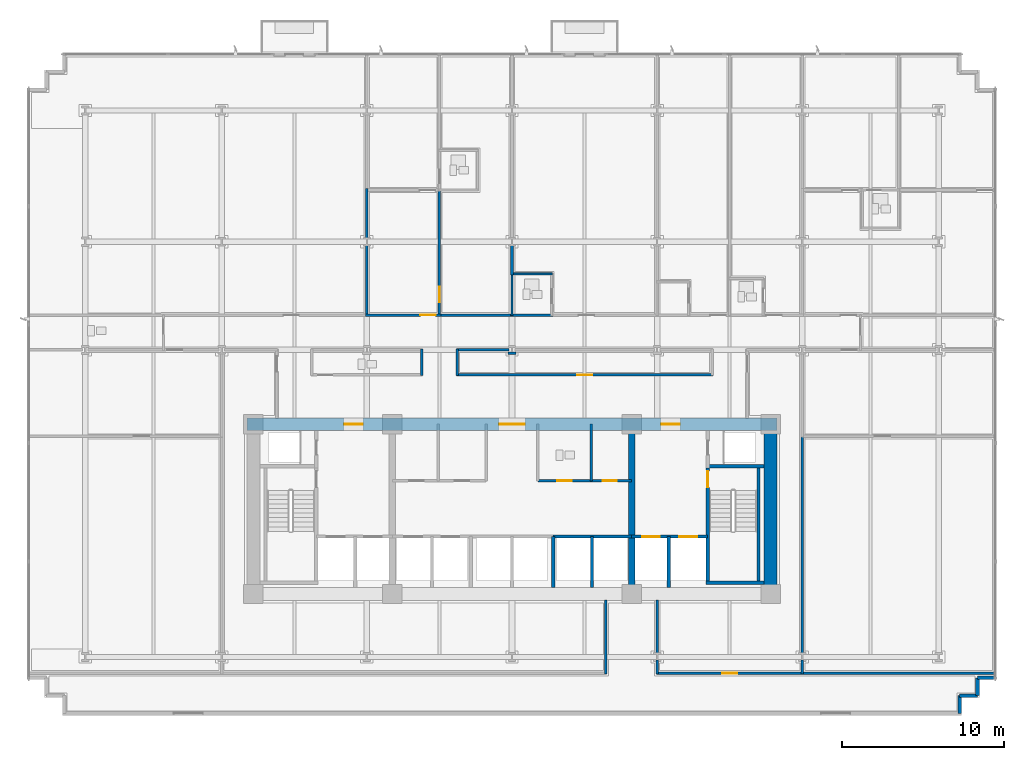
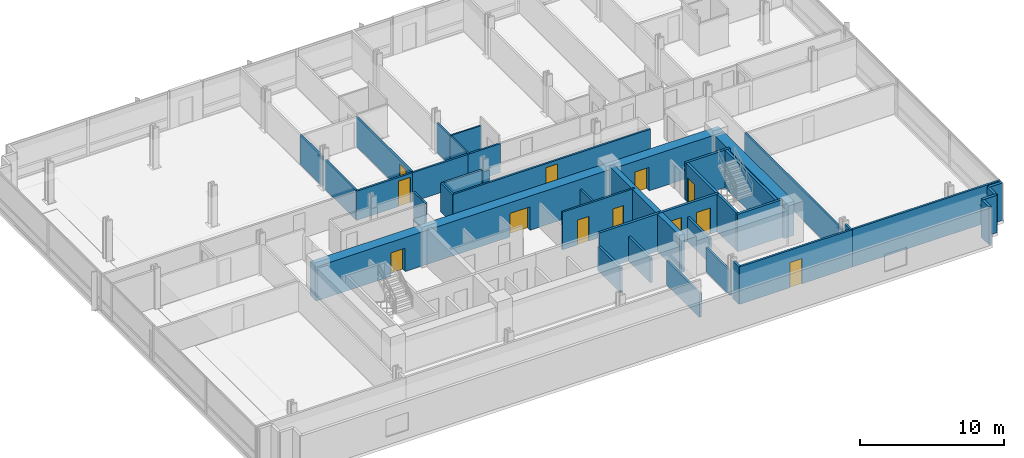
# One storey, part 9 of 18: 39 walls, 12 doors, 12 openings.
"""IFC4 building model written with IfcOpenShell, lengths in metres."""

from ifc_helpers import new_model, si_unit, direction, frame, frame_2d, origin, place, context, subcontext, project, spatial, rectangle, extrude, material, layer, layer_set, type_object, element, fill, save


model = new_model("IFC4")

# Units and contexts
model_context = context("Model", 3, precision=1e-05, world=origin(), true_north=direction((0.0, 1.0)))
body_context = subcontext(model_context, "Body", "Model", "MODEL_VIEW")
ifc_project = project(units=[si_unit("LENGTHUNIT", "METRE"), si_unit("AREAUNIT", "SQUARE_METRE"), si_unit("VOLUMEUNIT", "CUBIC_METRE"), si_unit("PLANEANGLEUNIT", "RADIAN"), si_unit("MASSUNIT", "GRAM", prefix="KILO")], contexts=[model_context])

# Site, building, storey
site_placement = place(None, origin())
site = spatial("IfcSite", under=ifc_project, at=site_placement, CompositionType="ELEMENT")
building_placement = place(site_placement, origin())
building = spatial("IfcBuilding", under=site, at=building_placement, Name="Solmavex Isthmus Hotel", CompositionType="ELEMENT")
storey_placement = place(building_placement, frame((0.0, 0.0, 43.64990234375)))
storey = spatial("IfcBuildingStorey", under=building, at=storey_placement, Name="L11", CompositionType="ELEMENT", Elevation=43.64990234375)

# Walls
ifc_material_1 = material(Name="Precast Concrete C40/50", Category="concrete")
ifc_layer_1 = layer(ifc_material_1, 0.25)
ifc_layer_set_1 = layer_set([ifc_layer_1], Name="Precast Concrete C40/50")
wall_type_1 = type_object("IfcWallType", Name="EW-TWR-250", PredefinedType="STANDARD", material=ifc_layer_set_1)
wall_1_placement = place(storey_placement, frame((29.889892578125, -18.18994140625, 0.0), z_axis=(0.0, 0.0, 1.0), x_axis=(-1.0, 0.0, 0.0)))
element("IfcWall", 1, at=wall_1_placement, inside=storey, type_object=wall_type_1, Name="Serrated Corner Facade Panel L11-16", PredefinedType="STANDARD", context=body_context, shape_type="SweptSolid", body=[
    extrude(rectangle(XDim=1.099853515625, YDim=0.219970703125, at=frame_2d((0.5498046875, 0.0))), origin(), (0.0, 0.0, 1.0), 3.190185546875),
])
for number, where, z_axis, x_axis, name in (
    (2, (28.7900390625, -18.18994140625, 0.0), (0.0, 0.0, 1.0), (0.0, -1.0, 0.0), "Serrated Corner Facade Panel L11-17"),
    (3, (28.7900390625, -19.2900390625, 0.0), (0.0, 0.0, 1.0), (-1.0, 0.0, 0.0), "Serrated Corner Facade Panel L11-18"),
):
    element("IfcWall", number, at=place(storey_placement, frame(where, z_axis=z_axis, x_axis=x_axis)), inside=storey, type_object=wall_type_1, Name=name, PredefinedType="STANDARD", context=body_context, shape_type="SweptSolid", body=[
        extrude(rectangle(XDim=1.10009765625, YDim=0.219970703125, at=frame_2d((0.550048828125, 0.0))), origin(), (0.0, 0.0, 1.0), 3.190185546875),
    ])
wall_2_placement = place(storey_placement, frame((27.68994140625, -19.2900390625, 0.0), z_axis=(0.0, 0.0, 1.0), x_axis=(0.0, -1.0, 0.0)))
element("IfcWall", 4, at=wall_2_placement, inside=storey, type_object=wall_type_1, Name="Serrated Corner Facade Panel L11-19", PredefinedType="STANDARD", context=body_context, shape_type="SweptSolid", body=[
    extrude(rectangle(XDim=1.099853515625, YDim=0.219970703125, at=frame_2d((0.5498046875, 0.0))), origin(), (0.0, 0.0, 1.0), 3.190185546875),
])
ifc_material_2 = material(Name="Gypsum plasterboard lining", Category="gypsum")
ifc_layer_2 = layer(ifc_material_2, 0.159912109375)
ifc_layer_set_2 = layer_set([ifc_layer_2], Name="Gypsum plasterboard lining")
wall_type_2 = type_object("IfcWallType", Name="IW-COMP-160", PredefinedType="PARTITIONING", material=ifc_layer_set_2)
wall_3_placement = place(storey_placement, frame((-8.97607421875, 8.613037109375, 0.0), z_axis=(0.0, 0.0, 1.0), x_axis=(0.0, -1.0, 0.0)))
element("IfcWall", 5, at=wall_3_placement, inside=storey, type_object=wall_type_2, Name="Interior Partition Wall W-L11-P033", PredefinedType="PARTITIONING", context=body_context, shape_type="SweptSolid", body=[
    extrude(rectangle(XDim=4.403076171875, YDim=0.159912109375, at=frame_2d((2.20166015625, 0.0))), origin(), (0.0, 0.0, 1.0), 2.4794921875),
])
wall_4_placement = place(storey_placement, frame((-8.97607421875, 12.070068359375, 0.0), z_axis=(0.0, 0.0, 1.0), x_axis=(0.0, -1.0, 0.0)))
element("IfcWall", 6, at=wall_4_placement, inside=storey, type_object=wall_type_2, Name="Interior Partition Wall W-L11-P034", PredefinedType="PARTITIONING", context=body_context, shape_type="SweptSolid", body=[
    extrude(rectangle(XDim=3.107177734375, YDim=0.159912109375, at=frame_2d((1.5537109375, 0.0))), origin(), (0.0, 0.0, 1.0), 2.4794921875),
])

# Wall, opening, door
wall_5_placement = place(storey_placement, frame((-4.488037109375, 12.028076171875, 0.0), z_axis=(0.0, 0.0, 1.0), x_axis=(0.0, -1.0, 0.0)))
wall_5 = element("IfcWall", 7, at=wall_5_placement, inside=storey, type_object=wall_type_2, Name="Interior Partition Wall W-L11-P039", PredefinedType="PARTITIONING", context=body_context, shape_type="SweptSolid", body=[
    extrude(rectangle(XDim=7.818115234375, YDim=0.159912109375, at=frame_2d((3.9091796875, 0.0))), origin(), (0.0, 0.0, 1.0), 2.4794921875),
])
opening_1_placement = place(wall_5_placement, frame((6.033935546875, 0.0, 0.0)))
opening_1 = element("IfcOpeningElement", 8, at=opening_1_placement, cuts=wall_5, Name="Opening ID-C095", PredefinedType="OPENING", context=body_context, shape_type="SweptSolid", body=[
    extrude(rectangle(XDim=0.949951171875, YDim=2.14990234375, at=frame_2d((0.47509765625, 1.074951171875))), frame((0.0, 0.08984375, 0.0), z_axis=(0.0, -1.0, 0.0), x_axis=(1.0, 0.0, 0.0)), (0.0, 0.0, 1.0), 0.179931640625),
])
ifc_material_3 = material(Name="Hardwood timber", Category="wood")
door_type_1 = type_object("IfcDoorType", Name="IDR-FD60-0950", OperationType="NOTDEFINED", PredefinedType="DOOR", material=ifc_material_3)
door_1_placement = place(opening_1_placement, origin())
door_1 = element("IfcDoor", 9, at=door_1_placement, inside=storey, type_object=door_type_1, Name="Premier Suite Living Lounge Door L11-04", OperationType="SINGLE_SWING_RIGHT", OverallHeight=2.14990234375, OverallWidth=0.949951171875, PredefinedType="DOOR", context=body_context, shape_type="SweptSolid", body=[
    extrude(rectangle(XDim=0.949951171875, YDim=2.14990234375, at=frame_2d((0.47509765625, 1.074951171875))), frame((0.0, 0.02490234375, 0.0), z_axis=(0.0, -1.0, 0.0), x_axis=(1.0, 0.0, 0.0)), (0.0, 0.0, 1.0), 0.050048828125),
])
fill(opening_1, door_1)

# Wall
wall_6_placement = place(storey_placement, frame((0.0, 8.613037109375, 0.0), z_axis=(0.0, 0.0, 1.0), x_axis=(0.0, -1.0, 0.0)))
element("IfcWall", 10, at=wall_6_placement, inside=storey, type_object=wall_type_2, Name="Interior Partition Wall W-L11-P045", PredefinedType="PARTITIONING", context=body_context, shape_type="SweptSolid", body=[
    extrude(rectangle(XDim=1.89501953125, YDim=0.159912109375, at=frame_2d((0.947509765625, 0.0))), origin(), (0.0, 0.0, 1.0), 2.4794921875),
])

# Wall, opening, door
wall_7_placement = place(storey_placement, frame((17.991943359375, -17.89990234375, 0.0), z_axis=(0.0, 0.0, 1.0), x_axis=(-1.0, 0.0, 0.0)))
wall_7 = element("IfcWall", 11, at=wall_7_placement, inside=storey, type_object=wall_type_2, Name="Interior Partition Wall W-L11-P081", PredefinedType="PARTITIONING", context=body_context, shape_type="SweptSolid", body=[
    extrude(rectangle(XDim=9.055908203125, YDim=0.159912109375, at=frame_2d((4.52783203125, 0.0))), origin(), (0.0, 0.0, 1.0), 3.190185546875),
])
opening_2_placement = place(wall_7_placement, frame((4.052978515625, 0.0, 0.0)))
opening_2 = element("IfcOpeningElement", 12, at=opening_2_placement, cuts=wall_7, Name="Opening ID-C095", PredefinedType="OPENING", context=body_context, shape_type="SweptSolid", body=[
    extrude(rectangle(XDim=0.949951171875, YDim=2.14990234375, at=frame_2d((0.47509765625, 1.074951171875))), frame((0.0, 0.08984375, 0.0), z_axis=(0.0, -1.0, 0.0), x_axis=(1.0, 0.0, 0.0)), (0.0, 0.0, 1.0), 0.179931640625),
])
door_2_placement = place(opening_2_placement, origin())
door_2 = element("IfcDoor", 13, at=door_2_placement, inside=storey, type_object=door_type_1, Name="Corporate Briefing Office Door L11-24", OperationType="SINGLE_SWING_RIGHT", OverallHeight=2.14990234375, OverallWidth=0.949951171875, PredefinedType="DOOR", context=body_context, shape_type="SweptSolid", body=[
    extrude(rectangle(XDim=0.949951171875, YDim=2.14990234375, at=frame_2d((0.47509765625, 1.074951171875))), frame((0.0, 0.02490234375, 0.0), z_axis=(0.0, -1.0, 0.0), x_axis=(1.0, 0.0, 0.0)), (0.0, 0.0, 1.0), 0.050048828125),
])
fill(opening_2, door_2)

# Walls
wall_8_placement = place(storey_placement, frame((8.97607421875, -17.93994140625, 0.0), z_axis=(0.0, 0.0, 1.0), x_axis=(0.0, 1.0, 0.0)))
element("IfcWall", 14, at=wall_8_placement, inside=storey, type_object=wall_type_2, Name="Interior Partition Wall W-L11-P082", PredefinedType="PARTITIONING", context=body_context, shape_type="SweptSolid", body=[
    extrude(rectangle(XDim=0.864990234375, YDim=0.159912109375, at=frame_2d((0.4326171875, 0.0))), origin(), (0.0, 0.0, 1.0), 3.190185546875),
])
wall_9_placement = place(storey_placement, frame((8.97607421875, -16.72509765625, 0.0), z_axis=(0.0, 0.0, 1.0), x_axis=(0.0, 1.0, 0.0)))
element("IfcWall", 15, at=wall_9_placement, inside=storey, type_object=wall_type_2, Name="Interior Partition Wall W-L11-P083", PredefinedType="PARTITIONING", context=body_context, shape_type="SweptSolid", body=[
    extrude(rectangle(XDim=3.364990234375, YDim=0.159912109375, at=frame_2d((1.6826171875, 0.0))), origin(), (0.0, 0.0, 1.0), 2.0751953125),
])
wall_10_placement = place(storey_placement, frame((17.951904296875, -17.074951171875, 0.0), z_axis=(0.0, 0.0, 1.0), x_axis=(0.0, -1.0, 0.0)))
element("IfcWall", 16, at=wall_10_placement, inside=storey, type_object=wall_type_2, Name="Interior Partition Wall W-L11-P084", PredefinedType="PARTITIONING", context=body_context, shape_type="SweptSolid", body=[
    extrude(rectangle(XDim=0.864990234375, YDim=0.159912109375, at=frame_2d((0.4326171875, 0.0))), origin(), (0.0, 0.0, 1.0), 3.190185546875),
])
wall_11_placement = place(storey_placement, frame((17.951904296875, -3.16796875, 0.0), z_axis=(0.0, 0.0, 1.0), x_axis=(0.0, -1.0, 0.0)))
element("IfcWall", 17, at=wall_11_placement, inside=storey, type_object=wall_type_2, Name="Interior Partition Wall W-L11-P085", PredefinedType="PARTITIONING", context=body_context, shape_type="SweptSolid", body=[
    extrude(rectangle(XDim=13.55712890625, YDim=0.159912109375, at=frame_2d((6.778564453125, 0.0))), origin(), (0.0, 0.0, 1.0), 2.4794921875),
])
wall_12_placement = place(storey_placement, frame((5.800048828125, -13.360107421875, 0.0), z_axis=(0.0, 0.0, 1.0), x_axis=(0.0, -1.0, 0.0)))
element("IfcWall", 18, at=wall_12_placement, inside=storey, type_object=wall_type_2, Name="Interior Partition Wall W-L11-P086", PredefinedType="PARTITIONING", context=body_context, shape_type="SweptSolid", body=[
    extrude(rectangle(XDim=4.579833984375, YDim=0.159912109375, at=frame_2d((2.2900390625, 0.0))), origin(), (0.0, 0.0, 1.0), 2.0751953125),
])
wall_13_placement = place(storey_placement, frame((17.8701171875, -17.89990234375, 0.0), z_axis=(0.0, 0.0, 1.0), x_axis=(1.0, 0.0, 0.0)))
element("IfcWall", 19, at=wall_13_placement, inside=storey, type_object=wall_type_2, Name="Interior Partition Wall W-L11-P091", PredefinedType="PARTITIONING", context=body_context, shape_type="SweptSolid", body=[
    extrude(rectangle(XDim=12.0498046875, YDim=0.159912109375, at=frame_2d((6.02490234375, 0.0))), origin(), (0.0, 0.0, 1.0), 3.190185546875),
])

# Wall, openings, doors
ifc_layer_3 = layer(ifc_material_2, 0.14990234375)
ifc_layer_set_3 = layer_set([ifc_layer_3], Name="Gypsum plasterboard lining")
wall_type_3 = type_object("IfcWallType", Name="IW-CORR-150", PredefinedType="PARTITIONING", material=ifc_layer_set_3)
wall_14_placement = place(storey_placement, frame((1.60009765625, -6.0, 0.0), z_axis=(0.0, 0.0, 1.0), x_axis=(1.0, 0.0, 0.0)))
wall_14 = element("IfcWall", 20, at=wall_14_placement, inside=storey, type_object=wall_type_3, Name="Interior Partition Wall W-L11-BOH-ES", PredefinedType="PARTITIONING", context=body_context, shape_type="SweptSolid", body=[
    extrude(rectangle(XDim=5.7998046875, YDim=0.14990234375, at=frame_2d((2.89990234375, 0.0))), origin(), (0.0, 0.0, 1.0), 3.190185546875),
])
opening_3_placement = place(wall_14_placement, frame((1.199951171875, 0.0, 0.0)))
opening_3 = element("IfcOpeningElement", 21, at=opening_3_placement, cuts=wall_14, Name="Opening ID-C090", PredefinedType="OPENING", context=body_context, shape_type="SweptSolid", body=[
    extrude(rectangle(XDim=0.89990234375, YDim=2.10009765625, at=frame_2d((0.449951171875, 1.050048828125))), frame((0.0, 0.0849609375, 0.0), z_axis=(0.0, -1.0, 0.0), x_axis=(1.0, 0.0, 0.0)), (0.0, 0.0, 1.0), 0.169921875),
])
opening_4_placement = place(wall_14_placement, frame((4.02490234375, 0.0, 0.0)))
opening_4 = element("IfcOpeningElement", 22, at=opening_4_placement, cuts=wall_14, Name="Opening ID-R085", PredefinedType="OPENING", context=body_context, shape_type="SweptSolid", body=[
    extrude(rectangle(XDim=0.85009765625, YDim=2.050048828125, at=frame_2d((0.425048828125, 1.02490234375))), frame((0.0, 0.0849609375, 0.0), z_axis=(0.0, -1.0, 0.0), x_axis=(1.0, 0.0, 0.0)), (0.0, 0.0, 1.0), 0.169921875),
])
ifc_material_4 = material(Name="Steel ASTM A500 Grade C", Category="steel")
door_type_2 = type_object("IfcDoorType", Name="IDR-FD60-0850", OperationType="NOTDEFINED", PredefinedType="DOOR", material=ifc_material_4)
door_3_placement = place(opening_4_placement, frame((0.85009765625, 0.0, 0.0), z_axis=(0.0, 0.0, 1.0), x_axis=(-1.0, 0.0, 0.0)))
door_3 = element("IfcDoor", 23, at=door_3_placement, inside=storey, type_object=door_type_2, Name="IT Room Door L11", OperationType="SINGLE_SWING_RIGHT", OverallHeight=2.050048828125, OverallWidth=0.85009765625, PredefinedType="DOOR", context=body_context, shape_type="SweptSolid", body=[
    extrude(rectangle(XDim=0.85009765625, YDim=2.050048828125, at=frame_2d((0.425048828125, 1.02490234375))), frame((0.0, 0.02490234375, 0.0), z_axis=(0.0, -1.0, 0.0), x_axis=(1.0, 0.0, 0.0)), (0.0, 0.0, 1.0), 0.050048828125),
])
fill(opening_4, door_3)
door_type_3 = type_object("IfcDoorType", Name="IDR-FD60-0900", OperationType="NOTDEFINED", PredefinedType="DOOR", material=ifc_material_3)
door_4_placement = place(opening_3_placement, frame((0.89990234375, 0.0, 0.0), z_axis=(0.0, 0.0, 1.0), x_axis=(-1.0, 0.0, 0.0)))
door_4 = element("IfcDoor", 24, at=door_4_placement, inside=storey, type_object=door_type_3, Name="Staff Restroom Door L11", OperationType="SINGLE_SWING_LEFT", OverallHeight=2.10009765625, OverallWidth=0.89990234375, PredefinedType="DOOR", context=body_context, shape_type="SweptSolid", body=[
    extrude(rectangle(XDim=0.89990234375, YDim=2.10009765625, at=frame_2d((0.449951171875, 1.050048828125))), frame((0.0, 0.02490234375, 0.0), z_axis=(0.0, -1.0, 0.0), x_axis=(1.0, 0.0, 0.0)), (0.0, 0.0, 1.0), 0.050048828125),
])
fill(opening_3, door_4)

# Wall, opening, door
wall_15_placement = place(storey_placement, frame((-9.05810546875, 4.25, 0.0), z_axis=(0.0, 0.0, 1.0), x_axis=(1.0, 0.0, 0.0)))
wall_15 = element("IfcWall", 25, at=wall_15_placement, inside=storey, type_object=wall_type_3, Name="Interior Partition Wall W-L11-P002", PredefinedType="PARTITIONING", context=body_context, shape_type="SweptSolid", body=[
    extrude(rectangle(XDim=4.652099609375, YDim=0.14990234375, at=frame_2d((2.326171875, 0.0))), origin(), (0.0, 0.0, 1.0), 2.4794921875),
])
opening_5_placement = place(wall_15_placement, frame((3.38720703125, 0.0, 0.0)))
opening_5 = element("IfcOpeningElement", 26, at=opening_5_placement, cuts=wall_15, Name="Opening ID-C095", PredefinedType="OPENING", context=body_context, shape_type="SweptSolid", body=[
    extrude(rectangle(XDim=0.949951171875, YDim=2.14990234375, at=frame_2d((0.47509765625, 1.074951171875))), frame((0.0, 0.0849609375, 0.0), z_axis=(0.0, -1.0, 0.0), x_axis=(1.0, 0.0, 0.0)), (0.0, 0.0, 1.0), 0.169921875),
])
door_5_placement = place(opening_5_placement, origin())
door_5 = element("IfcDoor", 27, at=door_5_placement, inside=storey, type_object=door_type_1, Name="Premier Suite Entrance Hall Door L11-02", OperationType="SINGLE_SWING_RIGHT", OverallHeight=2.14990234375, OverallWidth=0.949951171875, PredefinedType="DOOR", context=body_context, shape_type="SweptSolid", body=[
    extrude(rectangle(XDim=0.949951171875, YDim=2.14990234375, at=frame_2d((0.47509765625, 1.074951171875))), frame((0.0, 0.02490234375, 0.0), z_axis=(0.0, -1.0, 0.0), x_axis=(1.0, 0.0, 0.0)), (0.0, 0.0, 1.0), 0.050048828125),
])
fill(opening_5, door_5)

# Walls
wall_16_placement = place(storey_placement, frame((-4.570068359375, 4.25, 0.0), z_axis=(0.0, 0.0, 1.0), x_axis=(1.0, 0.0, 0.0)))
element("IfcWall", 28, at=wall_16_placement, inside=storey, type_object=wall_type_3, Name="Interior Partition Wall W-L11-P003", PredefinedType="PARTITIONING", context=body_context, shape_type="SweptSolid", body=[
    extrude(rectangle(XDim=4.652099609375, YDim=0.14990234375, at=frame_2d((2.326171875, 0.0))), origin(), (0.0, 0.0, 1.0), 2.4794921875),
])
wall_17_placement = place(storey_placement, frame((-0.08203125, 4.25, 0.0), z_axis=(0.0, 0.0, 1.0), x_axis=(1.0, 0.0, 0.0)))
element("IfcWall", 29, at=wall_17_placement, inside=storey, type_object=wall_type_3, Name="Interior Partition Wall W-L11-P005", PredefinedType="PARTITIONING", context=body_context, shape_type="SweptSolid", body=[
    extrude(rectangle(XDim=2.614013671875, YDim=0.14990234375, at=frame_2d((1.30712890625, 0.0))), origin(), (0.0, 0.0, 1.0), 2.4794921875),
])
wall_18_placement = place(storey_placement, frame((-5.587890625, 0.510009765625, 0.0), z_axis=(0.0, 0.0, 1.0), x_axis=(0.0, 1.0, 0.0)))
element("IfcWall", 30, at=wall_18_placement, inside=storey, type_object=wall_type_3, Name="Interior Partition Wall W-L11-P014", PredefinedType="PARTITIONING", context=body_context, shape_type="SweptSolid", body=[
    extrude(rectangle(XDim=1.6298828125, YDim=0.14990234375, at=frame_2d((0.81494140625, 0.0))), origin(), (0.0, 0.0, 1.0), 2.4794921875),
])
wall_19_placement = place(storey_placement, frame((0.2548828125, 1.885009765625, 0.0), z_axis=(0.0, 0.0, 1.0), x_axis=(-1.0, 0.0, 0.0)))
element("IfcWall", 31, at=wall_19_placement, inside=storey, type_object=wall_type_3, Name="Interior Partition Wall W-L11-P019", PredefinedType="PARTITIONING", context=body_context, shape_type="SweptSolid", body=[
    extrude(rectangle(XDim=0.509765625, YDim=0.14990234375, at=frame_2d((0.2548828125, 0.0))), origin(), (0.0, 0.0, 1.0), 2.4794921875),
])
wall_20_placement = place(storey_placement, frame((-0.175048828125, 2.10009765625, 0.0), z_axis=(0.0, 0.0, 1.0), x_axis=(-1.0, 0.0, 0.0)))
element("IfcWall", 32, at=wall_20_placement, inside=storey, type_object=wall_type_3, Name="Interior Partition Wall W-L11-P020", PredefinedType="PARTITIONING", context=body_context, shape_type="SweptSolid", body=[
    extrude(rectangle(XDim=3.2529296875, YDim=0.14990234375, at=frame_2d((1.62646484375, 0.0))), origin(), (0.0, 0.0, 1.0), 2.4794921875),
])
wall_21_placement = place(storey_placement, frame((-3.387939453125, 2.139892578125, 0.0), z_axis=(0.0, 0.0, 1.0), x_axis=(0.0, -1.0, 0.0)))
element("IfcWall", 33, at=wall_21_placement, inside=storey, type_object=wall_type_3, Name="Interior Partition Wall W-L11-P021", PredefinedType="PARTITIONING", context=body_context, shape_type="SweptSolid", body=[
    extrude(rectangle(XDim=1.6298828125, YDim=0.14990234375, at=frame_2d((0.81494140625, 0.0))), origin(), (0.0, 0.0, 1.0), 2.4794921875),
])

# Wall, opening, door
wall_22_placement = place(storey_placement, frame((-3.427978515625, 0.550048828125, 0.0), z_axis=(0.0, 0.0, 1.0), x_axis=(1.0, 0.0, 0.0)))
wall_22 = element("IfcWall", 34, at=wall_22_placement, inside=storey, type_object=wall_type_3, Name="Interior Partition Wall W-L11-P022", PredefinedType="PARTITIONING", context=body_context, shape_type="SweptSolid", body=[
    extrude(rectangle(XDim=15.85205078125, YDim=0.14990234375, at=frame_2d((7.926025390625, 0.0))), origin(), (0.0, 0.0, 1.0), 2.4794921875),
])
opening_6_placement = place(wall_22_placement, frame((7.450927734375, 0.0, 0.0)))
opening_6 = element("IfcOpeningElement", 35, at=opening_6_placement, cuts=wall_22, Name="Opening ID-C095", PredefinedType="OPENING", context=body_context, shape_type="SweptSolid", body=[
    extrude(rectangle(XDim=0.949951171875, YDim=2.14990234375, at=frame_2d((0.47509765625, 1.074951171875))), frame((0.0, 0.0849609375, 0.0), z_axis=(0.0, -1.0, 0.0), x_axis=(1.0, 0.0, 0.0)), (0.0, 0.0, 1.0), 0.169921875),
])
door_6_placement = place(opening_6_placement, origin())
door_6 = element("IfcDoor", 36, at=door_6_placement, inside=storey, type_object=door_type_1, Name="Seminar Meeting Room Door L11-19", OperationType="SINGLE_SWING_LEFT", OverallHeight=2.14990234375, OverallWidth=0.949951171875, PredefinedType="DOOR", context=body_context, shape_type="SweptSolid", body=[
    extrude(rectangle(XDim=0.949951171875, YDim=2.14990234375, at=frame_2d((0.47509765625, 1.074951171875))), frame((0.0, 0.02490234375, 0.0), z_axis=(0.0, -1.0, 0.0), x_axis=(1.0, 0.0, 0.0)), (0.0, 0.0, 1.0), 0.050048828125),
])
fill(opening_6, door_6)

# Walls
ifc_layer_4 = layer(ifc_material_2, 0.1201171875)
ifc_layer_set_4 = layer_set([ifc_layer_4], Name="Gypsum plasterboard lining")
wall_type_4 = type_object("IfcWallType", Name="IW-PART-120", PredefinedType="PARTITIONING", material=ifc_layer_set_4)
wall_23_placement = place(storey_placement, frame((4.89990234375, -6.0, 0.0), z_axis=(0.0, 0.0, 1.0), x_axis=(0.0, 1.0, 0.0)))
element("IfcWall", 37, at=wall_23_placement, inside=storey, type_object=wall_type_4, Name="Interior Partition Wall W-L11-BOH-EM2", PredefinedType="PARTITIONING", context=body_context, shape_type="SweptSolid", body=[
    extrude(rectangle(XDim=3.5, YDim=0.14990234375, at=frame_2d((1.75, 0.0))), origin(), (0.0, 0.0, 1.0), 2.0751953125),
])
wall_24_placement = place(storey_placement, frame((0.0, 6.882080078125, 0.0), z_axis=(0.0, 0.0, 1.0), x_axis=(0.0, -1.0, 0.0)))
element("IfcWall", 38, at=wall_24_placement, inside=storey, type_object=wall_type_4, Name="Interior Partition Wall W-L11-P048", PredefinedType="PARTITIONING", context=body_context, shape_type="SweptSolid", body=[
    extrude(rectangle(XDim=2.672119140625, YDim=0.1201171875, at=frame_2d((1.3359375, 0.0))), origin(), (0.0, 0.0, 1.0), 2.4794921875),
])
wall_25_placement = place(storey_placement, frame((2.489990234375, 6.800048828125, 0.0), z_axis=(0.0, 0.0, 1.0), x_axis=(-1.0, 0.0, 0.0)))
element("IfcWall", 39, at=wall_25_placement, inside=storey, type_object=wall_type_4, Name="Interior Partition Wall W-L11-P050", PredefinedType="PARTITIONING", context=body_context, shape_type="SweptSolid", body=[
    extrude(rectangle(XDim=2.530029296875, YDim=0.1201171875, at=frame_2d((1.26513671875, 0.0))), origin(), (0.0, 0.0, 1.0), 2.4794921875),
])
ifc_material_5 = material(Name="Concrete C40/50", Category="concrete")
ifc_layer_5 = layer(ifc_material_5, 0.179931640625)
ifc_layer_set_5 = layer_set([ifc_layer_5], Name="Concrete C40/50")
wall_type_5 = type_object("IfcWallType", Name="IW-SHAFT-180", PredefinedType="PARTITIONING", material=ifc_layer_set_5)
wall_26_placement = place(storey_placement, frame((4.949951171875, -12.60009765625, 0.0), z_axis=(0.0, 0.0, 1.0), x_axis=(0.0, 1.0, 0.0)))
element("IfcWall", 40, at=wall_26_placement, inside=storey, type_object=wall_type_5, Name="Interior Partition Wall W-L11-SH-PLH-M", PredefinedType="PARTITIONING", context=body_context, shape_type="SweptSolid", body=[
    extrude(rectangle(XDim=3.150146484375, YDim=0.179931640625, at=frame_2d((1.5751953125, 0.0))), origin(), (0.0, 0.0, 1.0), 2.0751953125),
])

# Wall, openings, doors
ifc_layer_6 = layer(ifc_material_5, 0.199951171875)
ifc_layer_set_6 = layer_set([ifc_layer_6], Name="Concrete C40/50")
wall_type_6 = type_object("IfcWallType", Name="IW-SHAFT-200", PredefinedType="PARTITIONING", material=ifc_layer_set_6)
wall_27_placement = place(storey_placement, frame((7.39990234375, -9.449951171875, 0.0), z_axis=(0.0, 0.0, 1.0), x_axis=(1.0, 0.0, 0.0)))
wall_27 = element("IfcWall", 41, at=wall_27_placement, inside=storey, type_object=wall_type_6, Name="Interior Partition Wall W-L11-FFLE-S", PredefinedType="PARTITIONING", context=body_context, shape_type="SweptSolid", body=[
    extrude(rectangle(XDim=4.7001953125, YDim=0.199951171875, at=frame_2d((2.35009765625, 0.0))), origin(), (0.0, 0.0, 1.0), 3.190185546875),
])
opening_7_placement = place(wall_27_placement, frame((2.949951171875, 0.0, 0.0)))
opening_7 = element("IfcOpeningElement", 42, at=opening_7_placement, cuts=wall_27, Name="Opening LD-FF", PredefinedType="OPENING", context=body_context, shape_type="SweptSolid", body=[
    extrude(rectangle(XDim=1.10009765625, YDim=2.199951171875, at=frame_2d((0.550048828125, 1.10009765625))), frame((0.0, 0.10986328125, 0.0), z_axis=(0.0, -1.0, 0.0), x_axis=(1.0, 0.0, 0.0)), (0.0, 0.0, 1.0), 0.219970703125),
])
opening_8_placement = place(wall_27_placement, frame((0.64990234375, 0.0, 0.0)))
opening_8 = element("IfcOpeningElement", 43, at=opening_8_placement, cuts=wall_27, Name="Opening LD-SV", PredefinedType="OPENING", context=body_context, shape_type="SweptSolid", body=[
    extrude(rectangle(XDim=1.10009765625, YDim=2.199951171875, at=frame_2d((0.550048828125, 1.10009765625))), frame((0.0, 0.10986328125, 0.0), z_axis=(0.0, -1.0, 0.0), x_axis=(1.0, 0.0, 0.0)), (0.0, 0.0, 1.0), 0.219970703125),
])
ifc_material_6 = material(Name="Stainless steel 316", Category="steel")
door_type_4 = type_object("IfcDoorType", Name="LDR-FF-1100", OperationType="NOTDEFINED", PredefinedType="DOOR", material=ifc_material_6)
door_7_placement = place(opening_7_placement, origin())
door_7 = element("IfcDoor", 44, at=door_7_placement, inside=storey, type_object=door_type_4, Name="Lift Landing Door FFL-2 L11", OperationType="SLIDING_TO_LEFT", OverallHeight=2.199951171875, OverallWidth=1.10009765625, PredefinedType="DOOR", context=body_context, shape_type="SweptSolid", body=[
    extrude(rectangle(XDim=1.10009765625, YDim=2.199951171875, at=frame_2d((0.550048828125, 1.10009765625))), frame((0.0, 0.02490234375, 0.0), z_axis=(0.0, -1.0, 0.0), x_axis=(1.0, 0.0, 0.0)), (0.0, 0.0, 1.0), 0.050048828125),
])
fill(opening_7, door_7)
door_type_5 = type_object("IfcDoorType", Name="LDR-SV-1100", OperationType="NOTDEFINED", PredefinedType="DOOR", material=ifc_material_6)
door_8_placement = place(opening_8_placement, origin())
door_8 = element("IfcDoor", 45, at=door_8_placement, inside=storey, type_object=door_type_5, Name="Lift Landing Door SVL-2 L11", OperationType="SLIDING_TO_RIGHT", OverallHeight=2.199951171875, OverallWidth=1.10009765625, PredefinedType="DOOR", context=body_context, shape_type="SweptSolid", body=[
    extrude(rectangle(XDim=1.10009765625, YDim=2.199951171875, at=frame_2d((0.550048828125, 1.10009765625))), frame((0.0, 0.02490234375, 0.0), z_axis=(0.0, -1.0, 0.0), x_axis=(1.0, 0.0, 0.0)), (0.0, 0.0, 1.0), 0.050048828125),
])
fill(opening_8, door_8)

# Walls
for number, where, z_axis, x_axis, name in (
    (46, (9.699951171875, -12.60009765625, 0.0), (0.0, 0.0, 1.0), (0.0, 1.0, 0.0), "Interior Partition Wall W-L11-FFLE-M"),
    (47, (2.550048828125, -12.60009765625, 0.0), (0.0, 0.0, 1.0), (0.0, 1.0, 0.0), "Interior Partition Wall W-L11-SH-PLM-E"),
):
    element("IfcWall", number, at=place(storey_placement, frame(where, z_axis=z_axis, x_axis=x_axis)), inside=storey, type_object=wall_type_6, Name=name, PredefinedType="PARTITIONING", context=body_context, shape_type="SweptSolid", body=[
        extrude(rectangle(XDim=3.150146484375, YDim=0.199951171875, at=frame_2d((1.5751953125, 0.0))), origin(), (0.0, 0.0, 1.0), 2.0751953125),
    ])
wall_28_placement = place(storey_placement, frame((2.550048828125, -9.449951171875, 0.0), z_axis=(0.0, 0.0, 1.0), x_axis=(1.0, 0.0, 0.0)))
element("IfcWall", 48, at=wall_28_placement, inside=storey, type_object=wall_type_6, Name="Interior Partition Wall W-L11-SH-PLH", PredefinedType="PARTITIONING", context=body_context, shape_type="SweptSolid", body=[
    extrude(rectangle(XDim=4.849853515625, YDim=0.199951171875, at=frame_2d((2.4248046875, 0.0))), origin(), (0.0, 0.0, 1.0), 3.190185546875),
])
ifc_material_7 = material(Name="Concrete C70/85", Category="concrete")
ifc_layer_7 = layer(ifc_material_7, 0.39990234375)
ifc_layer_set_7 = layer_set([ifc_layer_7], Name="Concrete C70/85")
wall_type_7 = type_object("IfcWallType", Name="WALL-CW-400L", PredefinedType="SHEAR", material=ifc_layer_set_7)
wall_29_placement = place(storey_placement, frame((7.39990234375, -12.60009765625, 0.0), z_axis=(0.0, 0.0, 1.0), x_axis=(0.0, 1.0, 0.0)))
element("IfcWall", 49, at=wall_29_placement, inside=storey, type_object=wall_type_7, Name="Core Cross Shear Wall C2 L11", PredefinedType="SHEAR", context=body_context, shape_type="SweptSolid", body=[
    extrude(rectangle(XDim=9.7001953125, YDim=0.39990234375, at=frame_2d((4.85009765625, 0.0))), origin(), (0.0, 0.0, 1.0), 3.190185546875),
])

# Wall, openings, doors
ifc_layer_8 = layer(ifc_material_7, 0.800048828125)
ifc_layer_set_8 = layer_set([ifc_layer_8], Name="Concrete C70/85")
wall_type_8 = type_object("IfcWallType", Name="WALL-CW-800", PredefinedType="SHEAR", material=ifc_layer_set_8)
wall_30_placement = place(storey_placement, frame((-16.39990234375, -2.5, 0.0), z_axis=(0.0, 0.0, 1.0), x_axis=(1.0, 0.0, 0.0)))
wall_30 = element("IfcWall", 50, at=wall_30_placement, inside=storey, type_object=wall_type_8, Name="Core Shear Wall North L11", PredefinedType="SHEAR", context=body_context, shape_type="SweptSolid", body=[
    extrude(rectangle(XDim=32.7998046875, YDim=0.800048828125, at=frame_2d((16.39990234375, 0.0))), origin(), (0.0, 0.0, 1.0), 2.91015625),
])
opening_9_placement = place(wall_30_placement, frame((6.02490234375, 0.0, 0.0)))
opening_9 = element("IfcOpeningElement", 51, at=opening_9_placement, cuts=wall_30, Name="Opening ID-F915", PredefinedType="OPENING", context=body_context, shape_type="SweptSolid", body=[
    extrude(rectangle(XDim=1.14990234375, YDim=2.0, at=frame_2d((0.574951171875, 1.0))), frame((0.0, 0.409912109375, 0.0), z_axis=(0.0, -1.0, 0.0), x_axis=(1.0, 0.0, 0.0)), (0.0, 0.0, 1.0), 0.820068359375),
])
opening_10_placement = place(wall_30_placement, frame((15.60009765625, 0.0, 0.0)))
opening_10 = element("IfcOpeningElement", 52, at=opening_10_placement, cuts=wall_30, Name="Opening ID-F960", PredefinedType="OPENING", context=body_context, shape_type="SweptSolid", body=[
    extrude(rectangle(XDim=1.60009765625, YDim=2.0, at=frame_2d((0.800048828125, 1.0))), frame((0.0, 0.409912109375, 0.0), z_axis=(0.0, -1.0, 0.0), x_axis=(1.0, 0.0, 0.0)), (0.0, 0.0, 1.0), 0.820068359375),
])
opening_11_placement = place(wall_30_placement, frame((25.625, 0.0, 0.0)))
opening_11 = element("IfcOpeningElement", 53, at=opening_11_placement, cuts=wall_30, Name="Opening ID-F915", PredefinedType="OPENING", context=body_context, shape_type="SweptSolid", body=[
    extrude(rectangle(XDim=1.14990234375, YDim=2.0, at=frame_2d((0.574951171875, 1.0))), frame((0.0, 0.409912109375, 0.0), z_axis=(0.0, -1.0, 0.0), x_axis=(1.0, 0.0, 0.0)), (0.0, 0.0, 1.0), 0.820068359375),
])
door_type_6 = type_object("IfcDoorType", Name="IDR-FD90-1150C", OperationType="NOTDEFINED", PredefinedType="DOOR", material=ifc_material_4)
door_9_placement = place(opening_9_placement, origin())
door_9 = element("IfcDoor", 54, at=door_9_placement, inside=storey, type_object=door_type_6, Name="Firefighting Lobby West Exit Door L11", OperationType="SINGLE_SWING_LEFT", OverallHeight=2.0, OverallWidth=1.14990234375, PredefinedType="DOOR", context=body_context, shape_type="SweptSolid", body=[
    extrude(rectangle(XDim=1.14990234375, YDim=2.0, at=frame_2d((0.574951171875, 1.0))), frame((0.0, 0.02490234375, 0.0), z_axis=(0.0, -1.0, 0.0), x_axis=(1.0, 0.0, 0.0)), (0.0, 0.0, 1.0), 0.050048828125),
])
fill(opening_9, door_9)
door_10_placement = place(opening_11_placement, origin())
door_10 = element("IfcDoor", 55, at=door_10_placement, inside=storey, type_object=door_type_6, Name="Firefighting Lobby East Exit Door L11", OperationType="SINGLE_SWING_RIGHT", OverallHeight=2.0, OverallWidth=1.14990234375, PredefinedType="DOOR", context=body_context, shape_type="SweptSolid", body=[
    extrude(rectangle(XDim=1.14990234375, YDim=2.0, at=frame_2d((0.574951171875, 1.0))), frame((0.0, 0.02490234375, 0.0), z_axis=(0.0, -1.0, 0.0), x_axis=(1.0, 0.0, 0.0)), (0.0, 0.0, 1.0), 0.050048828125),
])
fill(opening_11, door_10)
door_type_7 = type_object("IfcDoorType", Name="IDR-FD90-1600C", OperationType="NOTDEFINED", PredefinedType="DOOR", material=ifc_material_4)
door_11_placement = place(opening_10_placement, origin())
door_11 = element("IfcDoor", 56, at=door_11_placement, inside=storey, type_object=door_type_7, Name="Central Lift Lobby Door L11", OperationType="DOUBLE_DOOR_SINGLE_SWING", OverallHeight=2.0, OverallWidth=1.60009765625, PredefinedType="DOOR", context=body_context, shape_type="SweptSolid", body=[
    extrude(rectangle(XDim=1.60009765625, YDim=2.0, at=frame_2d((0.800048828125, 1.0))), frame((0.0, 0.02490234375, 0.0), z_axis=(0.0, -1.0, 0.0), x_axis=(1.0, 0.0, 0.0)), (0.0, 0.0, 1.0), 0.050048828125),
])
fill(opening_10, door_11)

# Walls
wall_31_placement = place(storey_placement, frame((16.0, -12.60009765625, 0.0), z_axis=(0.0, 0.0, 1.0), x_axis=(0.0, 1.0, 0.0)))
element("IfcWall", 57, at=wall_31_placement, inside=storey, type_object=wall_type_8, Name="Core Shear Wall East L11", PredefinedType="SHEAR", context=body_context, shape_type="SweptSolid", body=[
    extrude(rectangle(XDim=9.7001953125, YDim=0.800048828125, at=frame_2d((4.85009765625, 0.0))), origin(), (0.0, 0.0, 1.0), 2.91015625),
])
ifc_layer_9 = layer(ifc_material_5, 0.199951171875)
ifc_layer_set_9 = layer_set([ifc_layer_9], Name="Concrete C40/50")
wall_type_9 = type_object("IfcWallType", Name="WALL-SW-200", PredefinedType="SOLIDWALL", material=ifc_layer_set_9)
for number, where, z_axis, x_axis, name in (
    (58, (12.0, -12.300048828125, 0.0), (0.0, 0.0, 1.0), (1.0, 0.0, 0.0), "Stairwell Structural Wall SW-L11-ST2-S"),
    (59, (12.0, -5.10009765625, 0.0), (0.0, 0.0, 1.0), (1.0, 0.0, 0.0), "Stairwell Structural Wall SW-L11-ST2-N"),
):
    element("IfcWall", number, at=place(storey_placement, frame(where, z_axis=z_axis, x_axis=x_axis)), inside=storey, type_object=wall_type_9, Name=name, PredefinedType="SOLIDWALL", context=body_context, shape_type="SweptSolid", body=[
        extrude(rectangle(XDim=3.60009765625, YDim=0.199951171875, at=frame_2d((1.800048828125, 0.0))), origin(), (0.0, 0.0, 1.0), 3.190185546875),
    ])

# Wall, opening, door
wall_32_placement = place(storey_placement, frame((12.10009765625, -12.199951171875, 0.0), z_axis=(0.0, 0.0, 1.0), x_axis=(0.0, 1.0, 0.0)))
wall_32 = element("IfcWall", 60, at=wall_32_placement, inside=storey, type_object=wall_type_9, Name="Stairwell Structural Wall SW-L11-ST2-W", PredefinedType="SOLIDWALL", context=body_context, shape_type="SweptSolid", body=[
    extrude(rectangle(XDim=7.0, YDim=0.199951171875, at=frame_2d((3.5, 0.0))), origin(), (0.0, 0.0, 1.0), 3.190185546875),
])
opening_12_placement = place(wall_32_placement, frame((5.800048828125, 0.0, 0.0)))
opening_12 = element("IfcOpeningElement", 61, at=opening_12_placement, cuts=wall_32, Name="Opening ID-F100", PredefinedType="OPENING", context=body_context, shape_type="SweptSolid", body=[
    extrude(rectangle(XDim=1.0, YDim=2.10009765625, at=frame_2d((0.5, 1.050048828125))), frame((0.0, 0.10986328125, 0.0), z_axis=(0.0, -1.0, 0.0), x_axis=(1.0, 0.0, 0.0)), (0.0, 0.0, 1.0), 0.219970703125),
])
door_type_8 = type_object("IfcDoorType", Name="IDR-FD90-1000", OperationType="NOTDEFINED", PredefinedType="DOOR", material=ifc_material_4)
door_12_placement = place(opening_12_placement, origin())
door_12 = element("IfcDoor", 62, at=door_12_placement, inside=storey, type_object=door_type_8, Name="Stair ST-2 Fire Door L11", OperationType="SINGLE_SWING_RIGHT", OverallHeight=2.10009765625, OverallWidth=1.0, PredefinedType="DOOR", context=body_context, shape_type="SweptSolid", body=[
    extrude(rectangle(XDim=1.0, YDim=2.10009765625, at=frame_2d((0.5, 1.050048828125))), frame((0.0, 0.02490234375, 0.0), z_axis=(0.0, -1.0, 0.0), x_axis=(1.0, 0.0, 0.0)), (0.0, 0.0, 1.0), 0.050048828125),
])
fill(opening_12, door_12)

# Wall
wall_33_placement = place(storey_placement, frame((15.25, -12.199951171875, 0.0), z_axis=(0.0, 0.0, 1.0), x_axis=(0.0, 1.0, 0.0)))
element("IfcWall", 63, at=wall_33_placement, inside=storey, type_object=wall_type_9, Name="Stairwell Structural Wall SW-L11-ST2-E", PredefinedType="SOLIDWALL", context=body_context, shape_type="SweptSolid", body=[
    extrude(rectangle(XDim=7.0, YDim=0.199951171875, at=frame_2d((3.5, 0.0))), origin(), (0.0, 0.0, 1.0), 3.190185546875),
])

save(model, "model.ifc")
